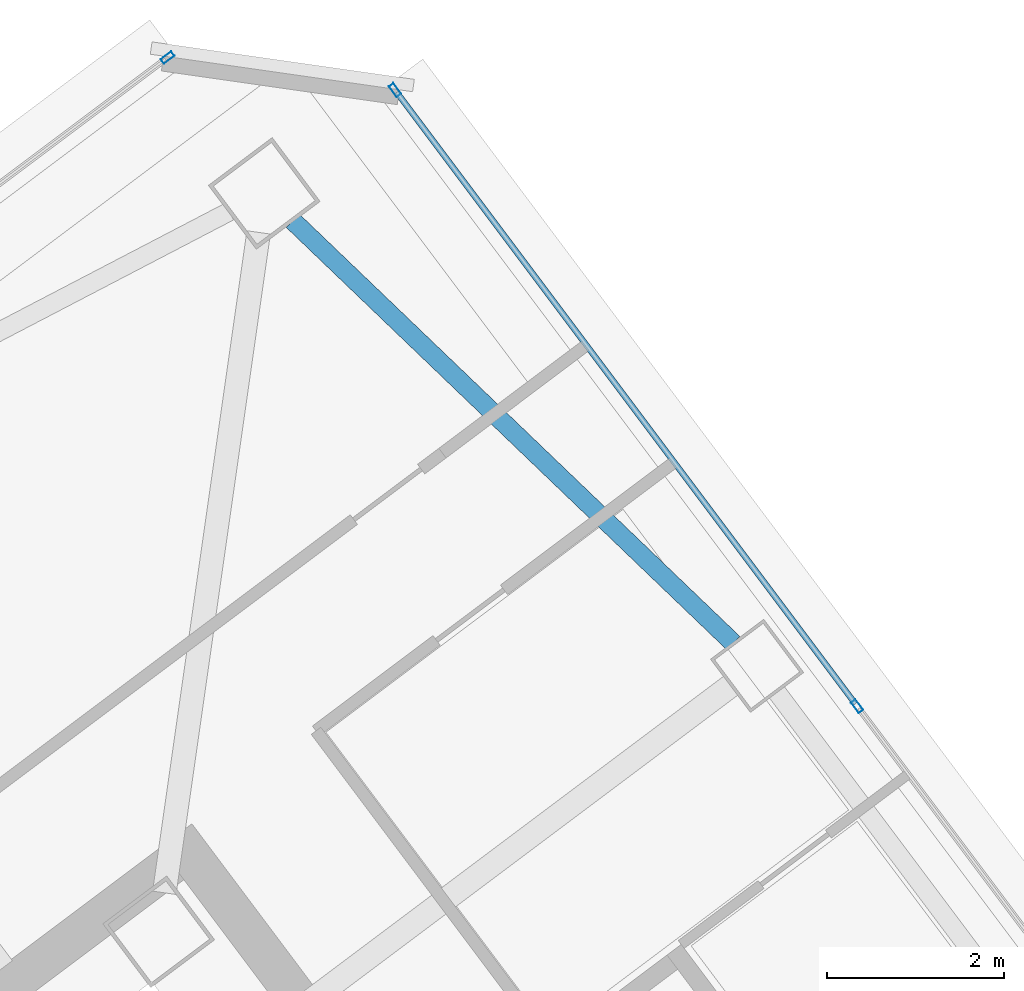
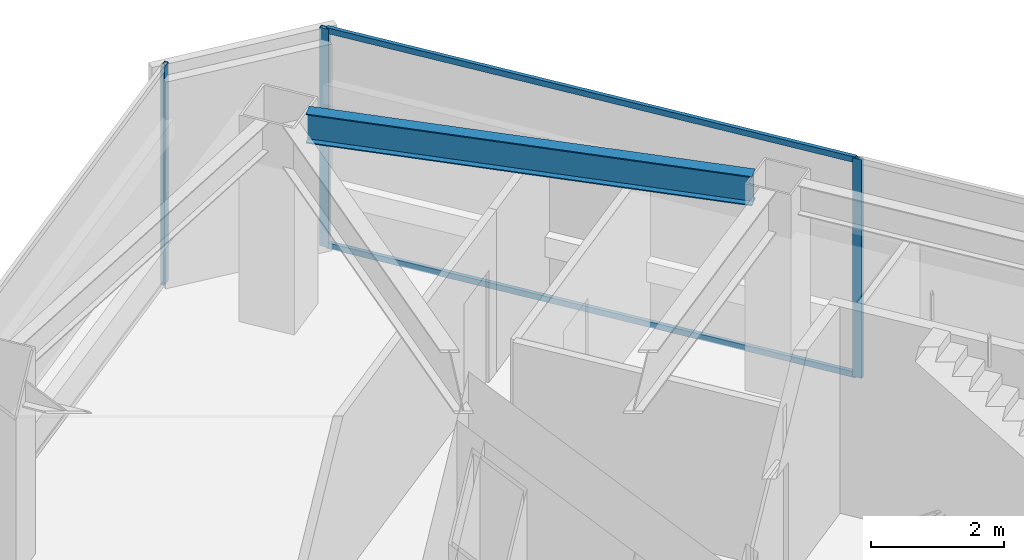
# One storey, part 36 of 51: 5 members, 1 beam, 2 elements without a shape of their own.
"""IFC4 building model written with IfcOpenShell, lengths in metres."""

from ifc_helpers import new_model, si_unit, direction, frame, origin, origin_2d, place, context, subcontext, project, spatial, hollow_rectangle, i_section, extrude, material, material_profile, profile_set, type_object, element, aggregate, save


model = new_model("IFC4")

# Units and contexts
model_context = context("Model", 3, precision=1e-05, world=origin(), true_north=direction((0.0, 1.0)))
body_context = subcontext(model_context, "Body", "Model", "MODEL_VIEW")
ifc_project = project(units=[si_unit("LENGTHUNIT", "METRE"), si_unit("AREAUNIT", "SQUARE_METRE"), si_unit("VOLUMEUNIT", "CUBIC_METRE"), si_unit("PLANEANGLEUNIT", "RADIAN"), si_unit("MASSUNIT", "GRAM", prefix="KILO")], contexts=[model_context])

# Site, building, storey
site_placement = place(None, origin())
site = spatial("IfcSite", under=ifc_project, at=site_placement, CompositionType="ELEMENT")
building_placement = place(site_placement, origin())
building = spatial("IfcBuilding", under=site, at=building_placement, Name="Tashvorn Skyway Center", CompositionType="ELEMENT")
storey_placement = place(building_placement, frame((0.0, 0.0, 251.39990234375)))
storey = spatial("IfcBuildingStorey", under=building, at=storey_placement, Name="L68", CompositionType="ELEMENT", Elevation=251.39990234375)

# Beam
ifc_material_1 = material(Name="Steel ASTM A992 Grade 50", Category="steel")
ifc_material_profile_1 = material_profile(ifc_material_1, i_section(OverallWidth=0.2109375, OverallDepth=0.5390625, WebThickness=0.01171875, FlangeThickness=0.018798828125, at=origin_2d()), Name="W21X73")
ifc_profile_set_1 = profile_set([ifc_material_profile_1], Name="Steel ASTM A992 Grade 50")
beam_type = type_object("IfcBeamType", Name="BM-SPANDREL-W21X73", PredefinedType="SPANDREL", material=ifc_profile_set_1)
beam_placement = place(storey_placement, frame((121.892822265625, 45.1259765625, 3.510498046875), z_axis=(-0.721873091786, 0.692025461493, 0.0), x_axis=(-0.692025461493, -0.721873091786, 0.0)))
element("IfcBeam", 1, at=beam_placement, inside=storey, type_object=beam_type, Name="Tower 2 L68 Spandrel Beam 06", PredefinedType="SPANDREL", context=body_context, shape_type="SweptSolid", body=[
    extrude(i_section(OverallWidth=0.2109375, OverallDepth=0.5390625, WebThickness=0.01171875, FlangeThickness=0.018798828125, at=origin_2d()), origin(), (0.0, 0.0, 1.0), 6.88720703125),
])

# Curtain wall, member
ifc_material_2 = material(Name="Thermally broken bronze-anodized aluminium 6063-T6", Category="aluminium")
curtain_wall_type = type_object("IfcCurtainWallType", Name="CW-CW-SKY", PredefinedType="NOTDEFINED", material=ifc_material_2)
curtain_wall_1_placement = place(storey_placement, origin())
curtain_wall_1 = element("IfcCurtainWall", 2, at=curtain_wall_1_placement, inside=storey, type_object=curtain_wall_type, Name="Tower 2 L68 North Curtain Wall B", PredefinedType="NOTDEFINED")
ifc_material_profile_2 = material_profile(ifc_material_2, hollow_rectangle(XDim=0.06494140625, YDim=0.14990234375, WallThickness=0.00390625, at=origin_2d()), Name="ALU-MULL-65x150")
ifc_profile_set_2 = profile_set([ifc_material_profile_2], Name="Thermally broken bronze-anodized aluminium 6063-T6")
member_type_1 = type_object("IfcMemberType", Name="CWM-CW-SKY", PredefinedType="MULLION", material=ifc_profile_set_2)
member_1_placement = place(storey_placement, frame((115.510009765625, 51.732421875, 0.0), z_axis=(0.0, 0.0, 1.0), x_axis=(-0.600000000002, 0.799999999998, 0.0)))
member_1 = element("IfcMember", 3, at=member_1_placement, type_object=member_type_1, Name="CW-SKY mullion 3", PredefinedType="MULLION", context=body_context, shape_type="SweptSolid", body=[
    extrude(hollow_rectangle(XDim=0.06494140625, YDim=0.14990234375, WallThickness=0.00390625, at=origin_2d()), origin(), (0.0, 0.0, 1.0), 4.0),
])
aggregate(curtain_wall_1, [member_1])

# Curtain wall, members
curtain_wall_2_placement = place(storey_placement, origin())
curtain_wall_2 = element("IfcCurtainWall", 4, at=curtain_wall_2_placement, inside=storey, type_object=curtain_wall_type, Name="Tower 2 L68 East Unitised Curtain Wall", PredefinedType="NOTDEFINED")
member_2_placement = place(storey_placement, frame((118.075439453125, 51.365966796875, 0.0), z_axis=(0.0, 0.0, 1.0), x_axis=(0.799999999998, 0.600000000002, 0.0)))
member_2 = element("IfcMember", 5, at=member_2_placement, type_object=member_type_1, Name="CW-SKY mullion 1", PredefinedType="MULLION", context=body_context, shape_type="SweptSolid", body=[
    extrude(hollow_rectangle(XDim=0.06494140625, YDim=0.14990234375, WallThickness=0.00390625, at=origin_2d()), origin(), (0.0, 0.0, 1.0), 4.0),
])
member_3_placement = place(storey_placement, frame((123.2880859375, 44.416015625, 0.0), z_axis=(0.0, 0.0, 1.0), x_axis=(0.799999999998, 0.600000000002, 0.0)))
member_3 = element("IfcMember", 6, at=member_3_placement, type_object=member_type_1, Name="CW-SKY mullion 2", PredefinedType="MULLION", context=body_context, shape_type="SweptSolid", body=[
    extrude(hollow_rectangle(XDim=0.06494140625, YDim=0.14990234375, WallThickness=0.00390625, at=origin_2d()), origin(), (0.0, 0.0, 1.0), 4.0),
])
ifc_material_profile_3 = material_profile(ifc_material_2, hollow_rectangle(XDim=0.06494140625, YDim=0.10498046875, WallThickness=0.00390625, at=origin_2d()), Name="ALU-TRAN-65x105")
ifc_profile_set_3 = profile_set([ifc_material_profile_3], Name="Thermally broken bronze-anodized aluminium 6063-T6")
member_type_2 = type_object("IfcMemberType", Name="CWT-CW-SKY", PredefinedType="USERDEFINED", material=ifc_profile_set_3)
member_4_placement = place(storey_placement, frame((118.094970703125, 51.340087890625, 0.03271484375), z_axis=(0.599995469799, -0.80000339763, 0.0), x_axis=(0.80000339763, 0.599995469799, 0.0)))
member_4 = element("IfcMember", 7, at=member_4_placement, type_object=member_type_2, Name="CW-SKY transom 1.1", ObjectType="TRANSOM", PredefinedType="USERDEFINED", context=body_context, shape_type="SweptSolid", body=[
    extrude(hollow_rectangle(XDim=0.06494140625, YDim=0.10498046875, WallThickness=0.00390625, at=origin_2d()), origin(), (0.0, 0.0, 1.0), 8.622802734375),
])
member_5_placement = place(storey_placement, frame((118.094970703125, 51.340087890625, 3.967529296875), z_axis=(0.599995469799, -0.80000339763, 0.0), x_axis=(0.80000339763, 0.599995469799, 0.0)))
member_5 = element("IfcMember", 8, at=member_5_placement, type_object=member_type_2, Name="CW-SKY transom 1.2", ObjectType="TRANSOM", PredefinedType="USERDEFINED", context=body_context, shape_type="SweptSolid", body=[
    extrude(hollow_rectangle(XDim=0.06494140625, YDim=0.10498046875, WallThickness=0.00390625, at=origin_2d()), origin(), (0.0, 0.0, 1.0), 8.622802734375),
])
aggregate(curtain_wall_2, [member_2, member_3, member_4, member_5])

save(model, "model.ifc")
